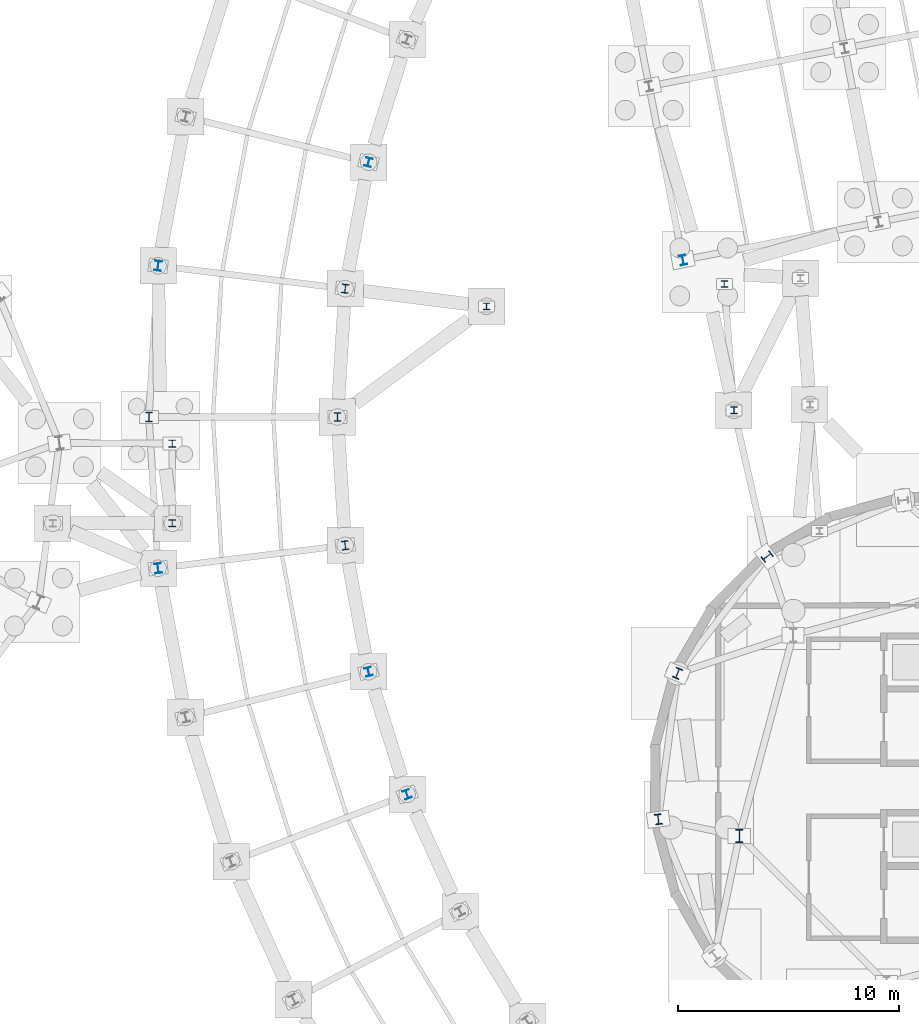
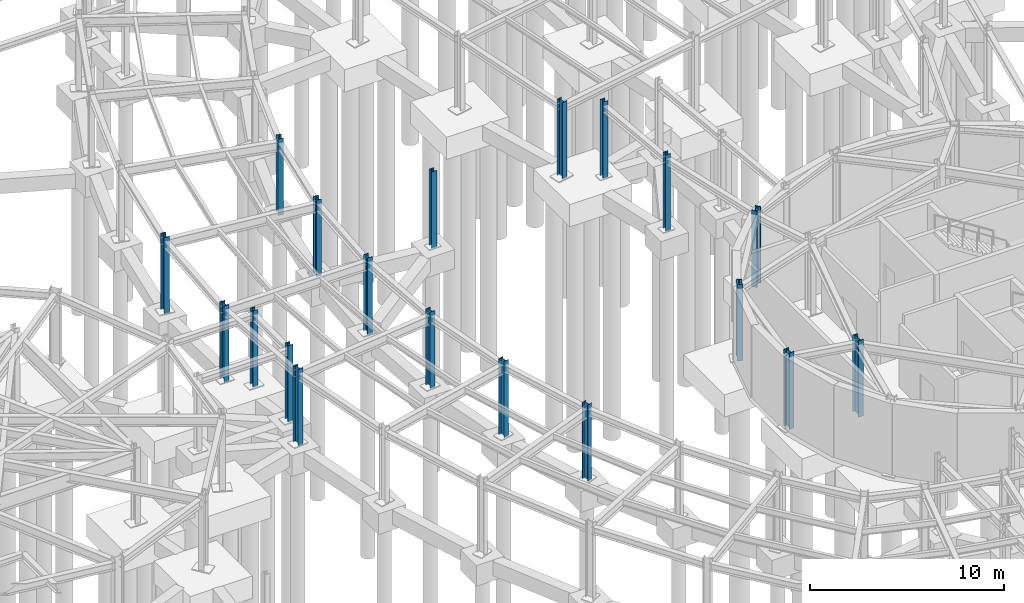
# One storey, part 13 of 50: 19 columns.
"""IFC4 building model written with IfcOpenShell, lengths in metres."""

from ifc_helpers import new_model, si_unit, direction, frame, origin, origin_2d, place, context, subcontext, project, spatial, i_section, extrude, material, material_profile, profile_set, type_object, element, save


model = new_model("IFC4")

# Units and contexts
model_context = context("Model", 3, precision=1e-05, world=origin(), true_north=direction((0.0, 1.0)))
body_context = subcontext(model_context, "Body", "Model", "MODEL_VIEW")
ifc_project = project(units=[si_unit("LENGTHUNIT", "METRE"), si_unit("AREAUNIT", "SQUARE_METRE"), si_unit("VOLUMEUNIT", "CUBIC_METRE"), si_unit("PLANEANGLEUNIT", "RADIAN"), si_unit("MASSUNIT", "GRAM", prefix="KILO")], contexts=[model_context])

# Site, building, storey
site_placement = place(None, origin())
site = spatial("IfcSite", under=ifc_project, at=site_placement, CompositionType="ELEMENT")
building_placement = place(site_placement, origin())
building = spatial("IfcBuilding", under=site, at=building_placement, Name="Varnklinge Art Gallery", CompositionType="ELEMENT")
storey_placement = place(building_placement, frame((0.0, 0.0, -4.800048828125)))
storey = spatial("IfcBuildingStorey", under=building, at=storey_placement, Name="B01", CompositionType="ELEMENT", Elevation=-4.800048828125)

# Columns
ifc_material_1 = material(Name="Steel S355", Category="steel")
ifc_material_profile_1 = material_profile(ifc_material_1, i_section(OverallWidth=0.304931640625, OverallDepth=0.6201171875, WebThickness=0.02099609375, FlangeThickness=0.0400390625, FilletRadius=0.027099609375, at=origin_2d()), Name="HEM 600")
ifc_profile_set_1 = profile_set([ifc_material_profile_1], Name="Steel S355")
column_type_1 = type_object("IfcColumnType", Name="COL-01", PredefinedType="COLUMN", material=ifc_profile_set_1)
column_placement = place(storey_placement, frame((66.42041015625, 36.067138671875, 0.0), z_axis=(0.0, 0.0, 1.0), x_axis=(1.0, 0.0, 0.0)))
element("IfcColumn", 1, at=column_placement, inside=storey, type_object=column_type_1, Name="B01 Column V4CI-4", PredefinedType="COLUMN", context=body_context, shape_type="SweptSolid", body=[
    extrude(i_section(OverallWidth=0.304931640625, OverallDepth=0.6201171875, WebThickness=0.02099609375, FlangeThickness=0.0400390625, FilletRadius=0.027099609375, at=origin_2d()), origin(), (0.0, 0.0, 1.0), 4.800048828125),
])
ifc_material_2 = material(Name="Steel S355", Category="steel")
ifc_material_profile_2 = material_profile(ifc_material_2, i_section(OverallWidth=0.306884765625, OverallDepth=0.47802734375, WebThickness=0.02099609375, FlangeThickness=0.0400390625, FilletRadius=0.027099609375, at=origin_2d()), Name="HEM 450")
ifc_profile_set_2 = profile_set([ifc_material_profile_2], Name="Steel S355")
column_type_2 = type_object("IfcColumnType", Name="COL-02", PredefinedType="COLUMN", material=ifc_profile_set_2)
for number, where, z_axis, x_axis, name in (
    (2, (67.677490234375, 48.694580078125, 0.0), (0.0, 0.0, 1.0), (-0.608761429009, 0.793353340291, 0.0), "B01 Column V4CP-05"),
    (3, (63.628173828125, 43.41748046875, 0.0), (0.0, 0.0, 1.0), (-0.923879532511, 0.382683432365, 0.0), "B01 Column V4CP-06"),
    (4, (62.760009765625, 36.82275390625, 0.0), (0.0, 0.0, 1.0), (-0.991444861374, -0.13052619222, 0.0), "B01 Column V4CP-07"),
):
    element("IfcColumn", number, at=place(storey_placement, frame(where, z_axis=z_axis, x_axis=x_axis)), inside=storey, type_object=column_type_2, Name=name, PredefinedType="COLUMN", context=body_context, shape_type="SweptSolid", body=[
        extrude(i_section(OverallWidth=0.306884765625, OverallDepth=0.47802734375, WebThickness=0.02099609375, FlangeThickness=0.0400390625, FilletRadius=0.027099609375, at=origin_2d()), origin(), (0.0, 0.0, 1.0), 4.800048828125),
    ])
ifc_material_3 = material(Name="Steel S355", Category="steel")
ifc_material_profile_3 = material_profile(ifc_material_3, i_section(OverallWidth=0.300048828125, OverallDepth=0.449951171875, WebThickness=0.013916015625, FlangeThickness=0.02587890625, FilletRadius=0.027099609375, at=origin_2d()), Name="HEB 450")
ifc_profile_set_3 = profile_set([ifc_material_profile_3], Name="Steel S355")
column_type_3 = type_object("IfcColumnType", Name="COL-06", PredefinedType="COLUMN", material=ifc_profile_set_3)
for number, where, z_axis, x_axis, name in (
    (5, (40.157958984375, 61.83349609375, 0.0), (0.0, 0.0, 1.0), (0.992588631597, -0.121522872021, 0.0), "B01 Column V2CO-26"),
    (6, (39.741455078125, 55.0, 0.0), (0.0, 0.0, 1.0), (1.0, 0.0, 0.0), "B01 Column V2CO-27"),
    (7, (40.157958984375, 48.16650390625, 0.0), (0.0, 0.0, 1.0), (0.992588631597, 0.121522872021, 0.0), "B01 Column V2CO-28"),
    (8, (63.872802734375, 62.090087890625, 0.0), (0.0, 0.0, 1.0), (0.981627183448, 0.190808995377, 0.0), "B01 Column V4BC-1-1"),
):
    element("IfcColumn", number, at=place(storey_placement, frame(where, z_axis=z_axis, x_axis=x_axis)), inside=storey, type_object=column_type_3, Name=name, PredefinedType="COLUMN", context=body_context, shape_type="SweptSolid", body=[
        extrude(i_section(OverallWidth=0.300048828125, OverallDepth=0.449951171875, WebThickness=0.013916015625, FlangeThickness=0.02587890625, FilletRadius=0.027099609375, at=origin_2d()), origin(), (0.0, 0.0, 1.0), 4.800048828125),
    ])
ifc_material_4 = material(Name="Steel S355", Category="steel")
ifc_material_profile_4 = material_profile(ifc_material_4, i_section(OverallWidth=0.300048828125, OverallDepth=0.39990234375, WebThickness=0.013427734375, FlangeThickness=0.02392578125, FilletRadius=0.027099609375, at=origin_2d()), Name="HEB 400")
ifc_profile_set_4 = profile_set([ifc_material_profile_4], Name="Steel S355")
column_type_4 = type_object("IfcColumnType", Name="COL-07", PredefinedType="COLUMN", material=ifc_profile_set_4)
for number, where, z_axis, x_axis, name in (
    (9, (49.667236328125, 66.511962890625, 0.0), (0.0, 0.0, 1.0), (0.970506473469, -0.241075060833, 0.0), "B01 Column V2CI-25"),
    (10, (48.612060546875, 60.798828125, 0.0), (0.0, 0.0, 1.0), (0.992588631597, -0.121522872021, 0.0), "B01 Column V2CI-26"),
    (11, (48.258544921875, 55.0, 0.0), (0.0, 0.0, 1.0), (1.0, 0.0, 0.0), "B01 Column V2CI-27"),
    (12, (48.612060546875, 49.201171875, 0.0), (0.0, 0.0, 1.0), (0.992588631597, 0.121522872021, 0.0), "B01 Column V2CI-28"),
    (13, (49.667236328125, 43.488037109375, 0.0), (0.0, 0.0, 1.0), (0.970506473469, 0.241075060833, 0.0), "B01 Column V2CI-29"),
    (14, (51.40869140625, 37.9453125, 0.0), (0.0, 0.0, 1.0), (0.934017558691, 0.357227098715, 0.0), "B01 Column V2CI-30"),
):
    element("IfcColumn", number, at=place(storey_placement, frame(where, z_axis=z_axis, x_axis=x_axis)), inside=storey, type_object=column_type_4, Name=name, PredefinedType="COLUMN", context=body_context, shape_type="SweptSolid", body=[
        extrude(i_section(OverallWidth=0.300048828125, OverallDepth=0.39990234375, WebThickness=0.013427734375, FlangeThickness=0.02392578125, FilletRadius=0.027099609375, at=origin_2d()), origin(), (0.0, 0.0, 1.0), 4.800048828125),
    ])
ifc_material_5 = material(Name="Steel S355", Category="steel")
ifc_material_profile_5 = material_profile(ifc_material_5, i_section(OverallWidth=0.300048828125, OverallDepth=0.320068359375, WebThickness=0.011474609375, FlangeThickness=0.0205078125, FilletRadius=0.027099609375, at=origin_2d()), Name="HEB 320")
ifc_profile_set_5 = profile_set([ifc_material_profile_5], Name="Steel S355")
column_type_5 = type_object("IfcColumnType", Name="COL-09", PredefinedType="COLUMN", material=ifc_profile_set_5)
for number, where, z_axis, x_axis, name in (
    (15, (40.800048828125, 50.199951171875, 0.0), (0.0, 0.0, 1.0), (1.0, 0.0, 0.0), "B01 Column LNK-V3-C2"),
    (16, (40.800048828125, 53.800048828125, 0.0), (0.0, 0.0, 1.0), (1.0, 0.0, 0.0), "B01 Column LNK-V3-C3"),
):
    element("IfcColumn", number, at=place(storey_placement, frame(where, z_axis=z_axis, x_axis=x_axis)), inside=storey, type_object=column_type_5, Name=name, PredefinedType="COLUMN", context=body_context, shape_type="SweptSolid", body=[
        extrude(i_section(OverallWidth=0.300048828125, OverallDepth=0.320068359375, WebThickness=0.011474609375, FlangeThickness=0.0205078125, FilletRadius=0.027099609375, at=origin_2d()), origin(), (0.0, 0.0, 1.0), 4.800048828125),
    ])
ifc_material_6 = material(Name="Steel S355", Category="steel")
ifc_material_profile_6 = material_profile(ifc_material_6, i_section(OverallWidth=0.300048828125, OverallDepth=0.300048828125, WebThickness=0.010986328125, FlangeThickness=0.01904296875, FilletRadius=0.027099609375, at=origin_2d()), Name="HEB 300")
ifc_profile_set_6 = profile_set([ifc_material_profile_6], Name="Steel S355")
column_type_6 = type_object("IfcColumnType", Name="COL-10", PredefinedType="COLUMN", material=ifc_profile_set_6)
for number, where, z_axis, x_axis, name in (
    (17, (66.178955078125, 55.30224609375, 0.0), (0.0, 0.0, 1.0), (1.0, 0.0, 0.0), "B01 Column BRG-1-CR2"),
    (18, (65.744140625, 61.013916015625, 0.0), (0.0, 0.0, 1.0), (1.0, 0.0, 0.0), "B01 Column BRG-1-CR3"),
    (19, (55.0, 60.0, 0.0), (0.0, 0.0, 1.0), (1.0, 0.0, 0.0), "B01 Column APRX-C6"),
):
    element("IfcColumn", number, at=place(storey_placement, frame(where, z_axis=z_axis, x_axis=x_axis)), inside=storey, type_object=column_type_6, Name=name, PredefinedType="COLUMN", context=body_context, shape_type="SweptSolid", body=[
        extrude(i_section(OverallWidth=0.300048828125, OverallDepth=0.300048828125, WebThickness=0.010986328125, FlangeThickness=0.01904296875, FilletRadius=0.027099609375, at=origin_2d()), origin(), (0.0, 0.0, 1.0), 4.800048828125),
    ])

save(model, "model.ifc")
